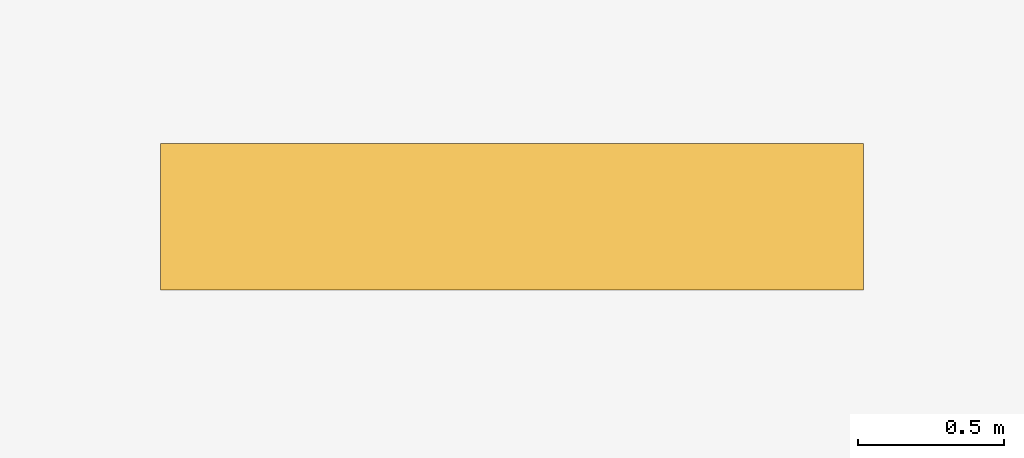
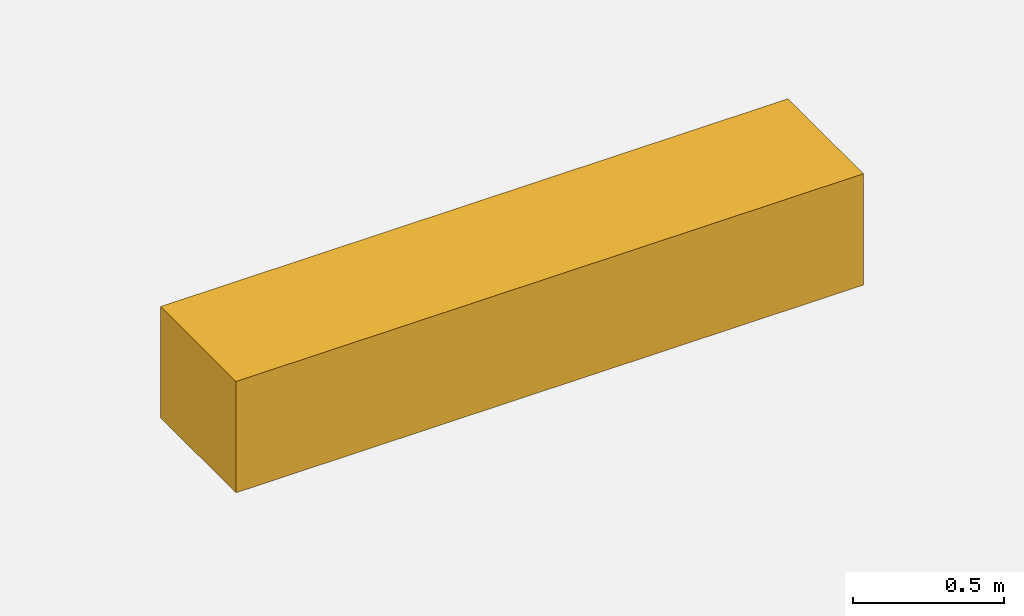
# One storey, part 53 of 54: 1 covering.
"""IFC4 building model written with IfcOpenShell, lengths in metres."""

from ifc_helpers import new_model, si_unit, direction, frame, origin, origin_2d, place, context, subcontext, project, spatial, rectangle, extrude, material, layer, layer_set, type_object, element, save


model = new_model("IFC4")

# Units and contexts
model_context = context("Model", 3, precision=1e-05, world=origin(), true_north=direction((0.0, 1.0)))
body_context = subcontext(model_context, "Body", "Model", "MODEL_VIEW")
ifc_project = project(units=[si_unit("LENGTHUNIT", "METRE"), si_unit("AREAUNIT", "SQUARE_METRE"), si_unit("VOLUMEUNIT", "CUBIC_METRE"), si_unit("PLANEANGLEUNIT", "RADIAN"), si_unit("MASSUNIT", "GRAM", prefix="KILO")], contexts=[model_context])

# Site, building, storey
site_placement = place(None, origin())
site = spatial("IfcSite", under=ifc_project, at=site_placement, CompositionType="ELEMENT")
building_placement = place(site_placement, origin())
building = spatial("IfcBuilding", under=site, at=building_placement, Name="Ogive Portal Towers", CompositionType="ELEMENT")
storey_placement = place(building_placement, origin())
storey = spatial("IfcBuildingStorey", under=building, at=storey_placement, Name="L00", CompositionType="ELEMENT", Elevation=0.0)

# Covering
ifc_material = material(Name="Limestone cladding on lightweight block wall", Category="masonry")
ifc_layer = layer(ifc_material, 0.449951171875)
ifc_layer_set = layer_set([ifc_layer], Name="PLAZA BENCH STONE")
covering_type = type_object("IfcCoveringType", Name="PLAZA BENCH STONE", PredefinedType="CLADDING", material=ifc_layer_set)
covering_placement = place(storey_placement, frame((151.0, 4.199951171875, -0.02001953125), z_axis=(0.0, 0.0, 1.0), x_axis=(1.0, 0.0, 0.0)))
element("IfcCovering", 1, at=covering_placement, inside=storey, type_object=covering_type, Name="PLAZA BENCH", PredefinedType="CLADDING", context=body_context, shape_type="SweptSolid", body=[
    extrude(rectangle(XDim=2.39990234375, YDim=0.5, at=origin_2d()), origin(), (0.0, 0.0, 1.0), 0.449951171875),
])

save(model, "model.ifc")
